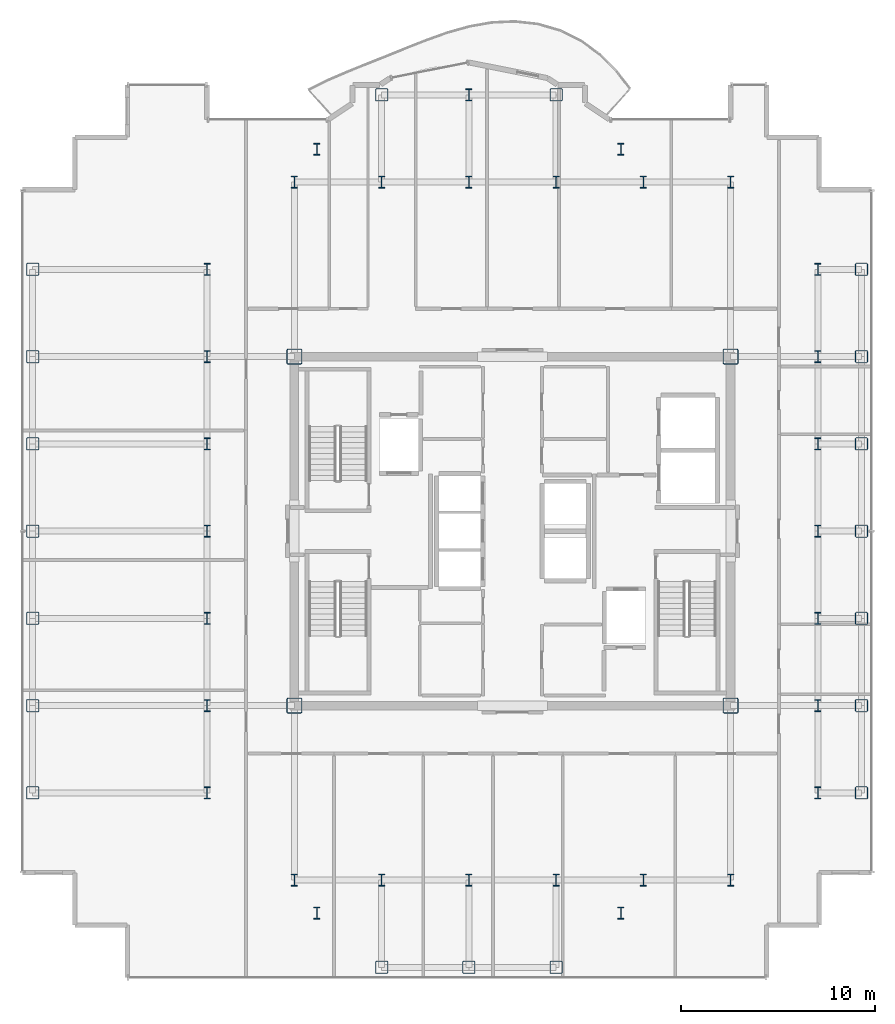
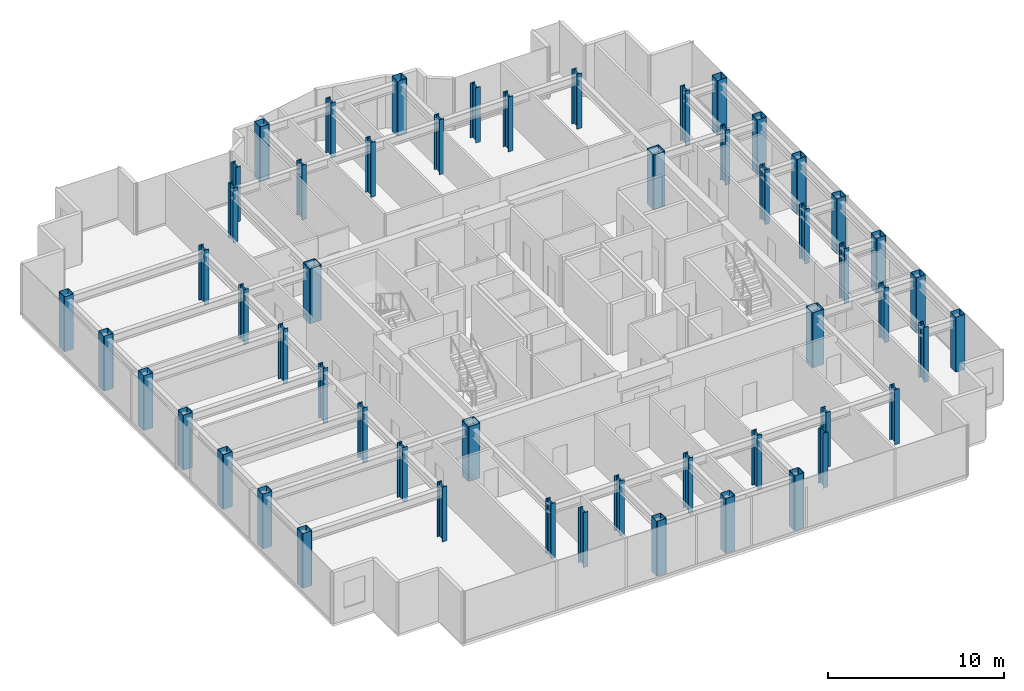
# One storey, part 1 of 18: 54 columns.
"""IFC4 building model written with IfcOpenShell, lengths in metres."""

from ifc_helpers import new_model, si_unit, direction, frame, origin, origin_2d, place, context, subcontext, project, spatial, hollow_rectangle, i_section, extrude, source, transform, mapped, material, material_profile, profile_set, type_object, element, save


model = new_model("IFC4")

# Units and contexts
model_context = context("Model", 3, precision=1e-05, world=origin(), true_north=direction((0.0, 1.0)))
body_context = subcontext(model_context, "Body", "Model", "MODEL_VIEW")
ifc_project = project(units=[si_unit("LENGTHUNIT", "METRE"), si_unit("AREAUNIT", "SQUARE_METRE"), si_unit("VOLUMEUNIT", "CUBIC_METRE"), si_unit("PLANEANGLEUNIT", "RADIAN"), si_unit("MASSUNIT", "GRAM", prefix="KILO")], contexts=[model_context])

# Site, building, storey
site_placement = place(None, origin())
site = spatial("IfcSite", under=ifc_project, at=site_placement, CompositionType="ELEMENT")
building_placement = place(site_placement, origin())
building = spatial("IfcBuilding", under=site, at=building_placement, Name="Nefas-Gora Pilgrimage Tower", CompositionType="ELEMENT")
storey_placement = place(building_placement, frame((0.0, 0.0, 268.39990234375)))
storey = spatial("IfcBuildingStorey", under=building, at=storey_placement, Name="L67", CompositionType="ELEMENT", Elevation=268.39990234375)

# Columns
ifc_material_1 = material(Name="Steel S460", Category="steel")
ifc_material_profile_1 = material_profile(ifc_material_1, hollow_rectangle(XDim=0.800048828125, YDim=0.800048828125, WallThickness=0.0400390625, InnerFilletRadius=0.0400390625, OuterFilletRadius=0.080078125, at=origin_2d()), Name="BOX 800x800x40")
ifc_profile_set_1 = profile_set([ifc_material_profile_1], Name="Steel S460")
column_type_1 = type_object("IfcColumnType", Name="COL-CORE-800", PredefinedType="COLUMN", material=ifc_profile_set_1)
shared_shape_1 = source(origin(), body_context, "Body", "SweptSolid", [
    extrude(hollow_rectangle(XDim=0.800048828125, YDim=0.800048828125, WallThickness=0.0400390625, InnerFilletRadius=0.0400390625, OuterFilletRadius=0.080078125, at=origin_2d()), origin(), (0.0, 0.0, 1.0), 3.800048828125),
])
for number, where, z_axis, x_axis, name in (
    (1, (-11.25, -9.0, 0.0), (0.0, 0.0, 1.0), (1.0, 0.0, 0.0), "L67 Tower Column CC-Z2.16"),
    (2, (-11.25, 9.0, 0.0), (0.0, 0.0, 1.0), (1.0, 0.0, 0.0), "L67 Tower Column CC-Z2.17"),
    (3, (11.25, -9.0, 0.0), (0.0, 0.0, 1.0), (1.0, 0.0, 0.0), "L67 Tower Column CC-Z2.38"),
    (4, (11.25, 9.0, 0.0), (0.0, 0.0, 1.0), (1.0, 0.0, 0.0), "L67 Tower Column CC-Z2.39"),
):
    element("IfcColumn", number, at=place(storey_placement, frame(where, z_axis=z_axis, x_axis=x_axis)), inside=storey, type_object=column_type_1, Name=name, PredefinedType="COLUMN", context=body_context, shape_type="MappedRepresentation", body=[
        mapped(shared_shape_1, transform((0.0, 0.0, 0.0), x_axis=(1.0, 0.0, 0.0), y_axis=(0.0, 1.0, 0.0), z_axis=(0.0, 0.0, 1.0), scale=1.0)),
    ])
ifc_material_profile_2 = material_profile(ifc_material_1, hollow_rectangle(XDim=0.64990234375, YDim=0.64990234375, WallThickness=0.031982421875, InnerFilletRadius=0.031982421875, OuterFilletRadius=0.06396484375, at=origin_2d()), Name="BOX 650x650x32")
ifc_profile_set_2 = profile_set([ifc_material_profile_2], Name="Steel S460")
column_type_2 = type_object("IfcColumnType", Name="COL-TUBE-650", PredefinedType="COLUMN", material=ifc_profile_set_2)
shared_shape_2 = source(origin(), body_context, "Body", "SweptSolid", [
    extrude(hollow_rectangle(XDim=0.64990234375, YDim=0.64990234375, WallThickness=0.031982421875, InnerFilletRadius=0.031982421875, OuterFilletRadius=0.06396484375, at=origin_2d()), origin(), (0.0, 0.0, 1.0), 3.800048828125),
])
for number, where, z_axis, x_axis, name in (
    (5, (-24.75, -13.5, 0.0), (0.0, 0.0, 1.0), (1.0, 0.0, 0.0), "L67 Tower Column C-Z3.1"),
    (6, (-24.75, -9.0, 0.0), (0.0, 0.0, 1.0), (1.0, 0.0, 0.0), "L67 Tower Column C-Z3.2"),
    (7, (-24.75, -4.5, 0.0), (0.0, 0.0, 1.0), (1.0, 0.0, 0.0), "L67 Tower Column C-Z3.3"),
    (8, (-24.75, 0.0, 0.0), (0.0, 0.0, 1.0), (1.0, 0.0, 0.0), "L67 Tower Column C-Z3.4"),
    (9, (-24.75, 4.5, 0.0), (0.0, 0.0, 1.0), (1.0, 0.0, 0.0), "L67 Tower Column C-Z3.5"),
    (10, (-24.75, 9.0, 0.0), (0.0, 0.0, 1.0), (1.0, 0.0, 0.0), "L67 Tower Column C-Z3.6"),
    (11, (-24.75, 13.5, 0.0), (0.0, 0.0, 1.0), (1.0, 0.0, 0.0), "L67 Tower Column C-Z3.7"),
    (12, (-6.75, -22.5, 0.0), (0.0, 0.0, 1.0), (1.0, 0.0, 0.0), "L67 Tower Column C-Z3.21"),
    (13, (-6.75, 22.5, 0.0), (0.0, 0.0, 1.0), (1.0, 0.0, 0.0), "L67 Tower Column C-Z3.24"),
    (14, (-2.25, -22.5, 0.0), (0.0, 0.0, 1.0), (1.0, 0.0, 0.0), "L67 Tower Column C-Z3.25"),
    (15, (2.25, -22.5, 0.0), (0.0, 0.0, 1.0), (1.0, 0.0, 0.0), "L67 Tower Column C-Z3.29"),
    (16, (2.25, 22.5, 0.0), (0.0, 0.0, 1.0), (1.0, 0.0, 0.0), "L67 Tower Column C-Z3.32"),
    (17, (18.0, -13.5, 0.0), (0.0, 0.0, 1.0), (1.0, 0.0, 0.0), "L67 Tower Column C-Z3.48"),
    (18, (18.0, -9.0, 0.0), (0.0, 0.0, 1.0), (1.0, 0.0, 0.0), "L67 Tower Column C-Z3.49"),
    (19, (18.0, -4.5, 0.0), (0.0, 0.0, 1.0), (1.0, 0.0, 0.0), "L67 Tower Column C-Z3.50"),
    (20, (18.0, 0.0, 0.0), (0.0, 0.0, 1.0), (1.0, 0.0, 0.0), "L67 Tower Column C-Z3.51"),
    (21, (18.0, 4.5, 0.0), (0.0, 0.0, 1.0), (1.0, 0.0, 0.0), "L67 Tower Column C-Z3.52"),
    (22, (18.0, 9.0, 0.0), (0.0, 0.0, 1.0), (1.0, 0.0, 0.0), "L67 Tower Column C-Z3.53"),
    (23, (18.0, 13.5, 0.0), (0.0, 0.0, 1.0), (1.0, 0.0, 0.0), "L67 Tower Column C-Z3.54"),
):
    element("IfcColumn", number, at=place(storey_placement, frame(where, z_axis=z_axis, x_axis=x_axis)), inside=storey, type_object=column_type_2, Name=name, PredefinedType="COLUMN", context=body_context, shape_type="MappedRepresentation", body=[
        mapped(shared_shape_2, transform((0.0, 0.0, 0.0), x_axis=(1.0, 0.0, 0.0), y_axis=(0.0, 1.0, 0.0), z_axis=(0.0, 0.0, 1.0), scale=1.0)),
    ])
ifc_material_2 = material(Name="Steel S355", Category="steel")
ifc_material_profile_3 = material_profile(ifc_material_2, i_section(OverallWidth=0.304931640625, OverallDepth=0.6201171875, WebThickness=0.02099609375, FlangeThickness=0.0400390625, FilletRadius=0.027099609375, at=origin_2d()), Name="HEM 600")
ifc_profile_set_3 = profile_set([ifc_material_profile_3], Name="Steel S355")
column_type_3 = type_object("IfcColumnType", Name="COL-WEB-HEM600", PredefinedType="COLUMN", material=ifc_profile_set_3)
shared_shape_3 = source(origin(), body_context, "Body", "SweptSolid", [
    extrude(i_section(OverallWidth=0.304931640625, OverallDepth=0.6201171875, WebThickness=0.02099609375, FlangeThickness=0.0400390625, FilletRadius=0.027099609375, at=origin_2d()), origin(), (0.0, 0.0, 1.0), 3.800048828125),
])
for number, where, z_axis, x_axis, name in (
    (24, (-15.75, -13.5, 0.0), (0.0, 0.0, 1.0), (1.0, 0.0, 0.0), "L67 Tower Column CW-03.8"),
    (25, (-15.75, -9.0, 0.0), (0.0, 0.0, 1.0), (1.0, 0.0, 0.0), "L67 Tower Column CW-03.9"),
    (26, (-15.75, -4.5, 0.0), (0.0, 0.0, 1.0), (1.0, 0.0, 0.0), "L67 Tower Column CW-03.10"),
    (27, (-15.75, 0.0, 0.0), (0.0, 0.0, 1.0), (1.0, 0.0, 0.0), "L67 Tower Column CW-03.11"),
    (28, (-15.75, 4.5, 0.0), (0.0, 0.0, 1.0), (1.0, 0.0, 0.0), "L67 Tower Column CW-03.12"),
    (29, (-15.75, 9.0, 0.0), (0.0, 0.0, 1.0), (1.0, 0.0, 0.0), "L67 Tower Column CW-03.13"),
    (30, (-15.75, 13.5, 0.0), (0.0, 0.0, 1.0), (1.0, 0.0, 0.0), "L67 Tower Column CW-03.14"),
    (31, (-11.25, -18.0, 0.0), (0.0, 0.0, 1.0), (1.0, 0.0, 0.0), "L67 Tower Column CW-03.15"),
    (32, (-11.25, 18.0, 0.0), (0.0, 0.0, 1.0), (1.0, 0.0, 0.0), "L67 Tower Column CW-03.18"),
    (33, (-10.091064453125, -19.696044921875, 0.0), (0.0, 0.0, 1.0), (1.0, 0.0, 0.0), "L67 Tower Column CW-03.19"),
    (34, (-10.091064453125, 19.696044921875, 0.0), (0.0, 0.0, 1.0), (1.0, 0.0, 0.0), "L67 Tower Column CW-03.20"),
    (35, (-6.75, -18.0, 0.0), (0.0, 0.0, 1.0), (1.0, 0.0, 0.0), "L67 Tower Column CW-03.22"),
    (36, (-6.75, 18.0, 0.0), (0.0, 0.0, 1.0), (1.0, 0.0, 0.0), "L67 Tower Column CW-03.23"),
    (37, (-2.25, -18.0, 0.0), (0.0, 0.0, 1.0), (1.0, 0.0, 0.0), "L67 Tower Column CW-03.26"),
    (38, (-2.25, 18.0, 0.0), (0.0, 0.0, 1.0), (1.0, 0.0, 0.0), "L67 Tower Column CW-03.27"),
    (39, (-2.25, 22.5, 0.0), (0.0, 0.0, 1.0), (1.0, 0.0, 0.0), "L67 Tower Column CW-03.28"),
    (40, (2.25, -18.0, 0.0), (0.0, 0.0, 1.0), (1.0, 0.0, 0.0), "L67 Tower Column CW-03.30"),
    (41, (2.25, 18.0, 0.0), (0.0, 0.0, 1.0), (1.0, 0.0, 0.0), "L67 Tower Column CW-03.31"),
    (42, (5.591064453125, -19.696044921875, 0.0), (0.0, 0.0, 1.0), (1.0, 0.0, 0.0), "L67 Tower Column CW-03.33"),
    (43, (5.591064453125, 19.696044921875, 0.0), (0.0, 0.0, 1.0), (1.0, 0.0, 0.0), "L67 Tower Column CW-03.34"),
    (44, (6.75, -18.0, 0.0), (0.0, 0.0, 1.0), (1.0, 0.0, 0.0), "L67 Tower Column CW-03.35"),
    (45, (6.75, 18.0, 0.0), (0.0, 0.0, 1.0), (1.0, 0.0, 0.0), "L67 Tower Column CW-03.36"),
    (46, (11.25, -18.0, 0.0), (0.0, 0.0, 1.0), (1.0, 0.0, 0.0), "L67 Tower Column CW-03.37"),
    (47, (11.25, 18.0, 0.0), (0.0, 0.0, 1.0), (1.0, 0.0, 0.0), "L67 Tower Column CW-03.40"),
    (48, (15.75, -13.5, 0.0), (0.0, 0.0, 1.0), (1.0, 0.0, 0.0), "L67 Tower Column CW-03.41"),
    (49, (15.75, -9.0, 0.0), (0.0, 0.0, 1.0), (1.0, 0.0, 0.0), "L67 Tower Column CW-03.42"),
    (50, (15.75, -4.5, 0.0), (0.0, 0.0, 1.0), (1.0, 0.0, 0.0), "L67 Tower Column CW-03.43"),
    (51, (15.75, 0.0, 0.0), (0.0, 0.0, 1.0), (1.0, 0.0, 0.0), "L67 Tower Column CW-03.44"),
    (52, (15.75, 4.5, 0.0), (0.0, 0.0, 1.0), (1.0, 0.0, 0.0), "L67 Tower Column CW-03.45"),
    (53, (15.75, 9.0, 0.0), (0.0, 0.0, 1.0), (1.0, 0.0, 0.0), "L67 Tower Column CW-03.46"),
    (54, (15.75, 13.5, 0.0), (0.0, 0.0, 1.0), (1.0, 0.0, 0.0), "L67 Tower Column CW-03.47"),
):
    element("IfcColumn", number, at=place(storey_placement, frame(where, z_axis=z_axis, x_axis=x_axis)), inside=storey, type_object=column_type_3, Name=name, PredefinedType="COLUMN", context=body_context, shape_type="MappedRepresentation", body=[
        mapped(shared_shape_3, transform((0.0, 0.0, 0.0), x_axis=(1.0, 0.0, 0.0), y_axis=(0.0, 1.0, 0.0), z_axis=(0.0, 0.0, 1.0), scale=1.0)),
    ])

save(model, "model.ifc")
